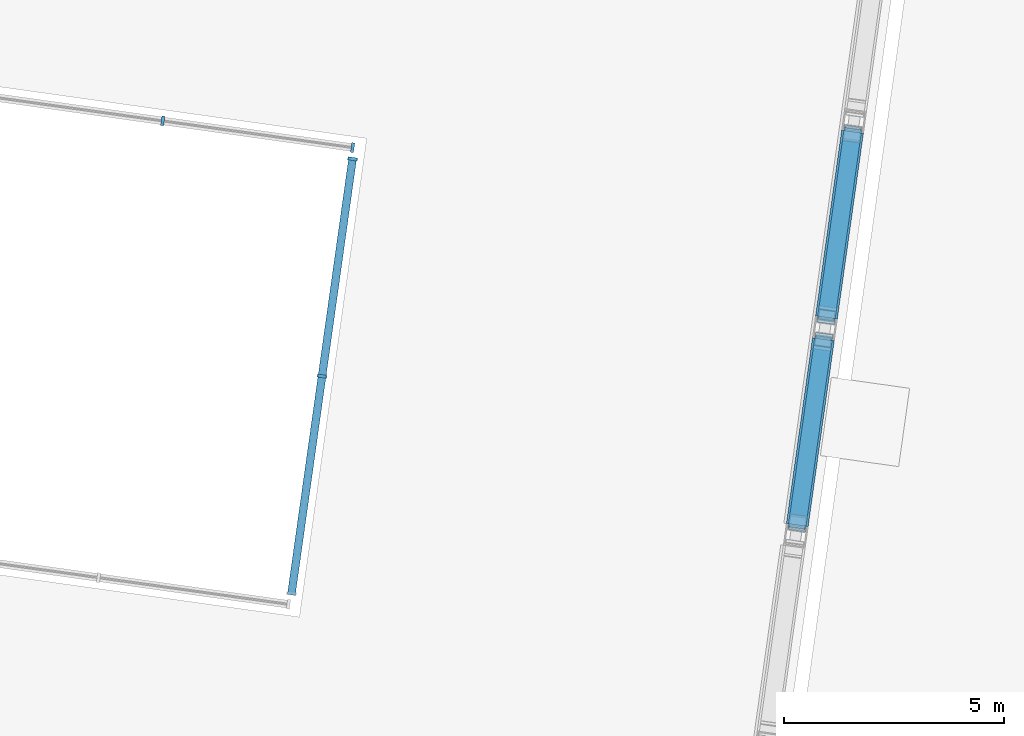
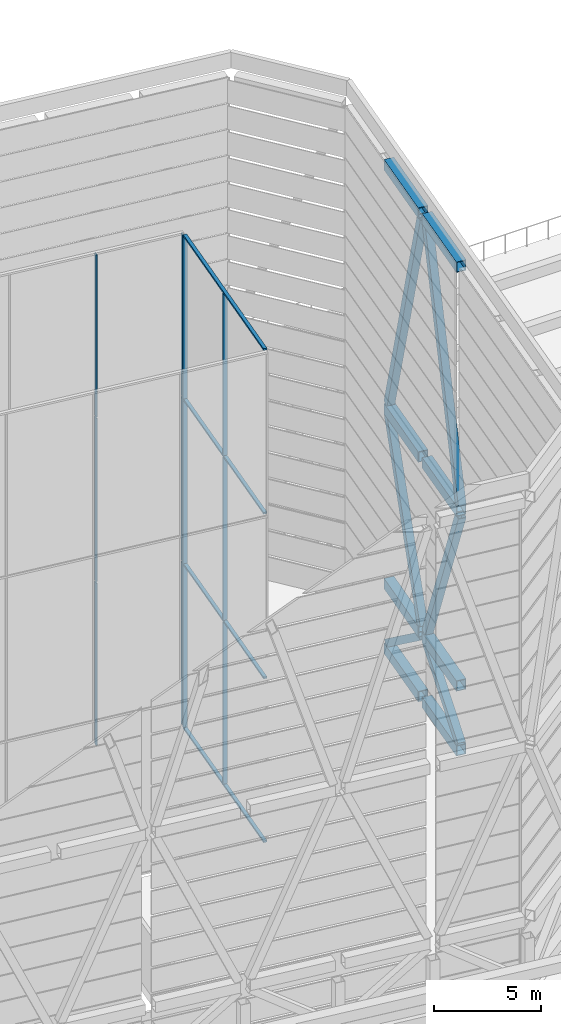
# One storey, part 8 of 45: 22 members, 8 beams, 2 elements without a shape of their own.
"""IFC4 building model written with IfcOpenShell, lengths in metres."""

from ifc_helpers import new_model, si_unit, direction, frame, origin, origin_2d, place, context, subcontext, project, spatial, rectangle, hollow_rectangle, extrude, material, material_profile, profile_set, type_object, element, aggregate, save


model = new_model("IFC4")

# Units and contexts
model_context = context("Model", 3, precision=1e-05, world=origin(), true_north=direction((0.0, 1.0)))
body_context = subcontext(model_context, "Body", "Model", "MODEL_VIEW")
ifc_project = project(units=[si_unit("LENGTHUNIT", "METRE"), si_unit("AREAUNIT", "SQUARE_METRE"), si_unit("VOLUMEUNIT", "CUBIC_METRE"), si_unit("PLANEANGLEUNIT", "RADIAN"), si_unit("MASSUNIT", "GRAM", prefix="KILO")], contexts=[model_context])

# Site, building, storey
site_placement = place(None, origin())
site = spatial("IfcSite", under=ifc_project, at=site_placement, CompositionType="ELEMENT")
building_placement = place(site_placement, origin())
building = spatial("IfcBuilding", under=site, at=building_placement, Name="Mirante Cascada Hotel Towers", CompositionType="ELEMENT")
storey_placement = place(building_placement, frame((0.0, 0.0, 269.8)))
storey = spatial("IfcBuildingStorey", under=building, at=storey_placement, Name="Roof garden", CompositionType="ELEMENT", Elevation=269.8)

# Beams
ifc_material_1 = material(Name="Steel ASTM A572 Gr 50", Category="steel")
ifc_material_profile_1 = material_profile(ifc_material_1, hollow_rectangle(XDim=0.5, YDim=0.6, WallThickness=0.03, at=origin_2d()), Name="Box beam 600x500x30 ASTM A572 Gr 50")
ifc_profile_set_1 = profile_set([ifc_material_profile_1], Name="Steel ASTM A572 Gr 50")
beam_type = type_object("IfcBeamType", Name="Box beam 600x500x30 ASTM A572 Gr 50", PredefinedType="BEAM", material=ifc_profile_set_1)
for number, where, z_axis, x_axis, name in (
    (1, (-14.6802, -3.9006, 0.3), (0.1391659, 0.9902691, 0.0), (-0.9902691, 0.1391659, 0.0), "CROWN FRAME ring beam T1 5"),
    (2, (-14.0162, 0.8242, 0.3), (0.1391888, 0.9902659, 0.0), (-0.9902659, 0.1391888, 0.0), "CROWN FRAME ring beam T1 6"),
    (3, (-14.6802, -3.9006, 4.0), (0.1391659, 0.9902691, 0.0), (-0.9902691, 0.1391659, 0.0), "CROWN FRAME ring beam T1 35"),
    (4, (-14.0162, 0.8242, 4.0), (0.1391888, 0.9902659, 0.0), (-0.9902659, 0.1391888, 0.0), "CROWN FRAME ring beam T1 36"),
    (5, (-14.6802, -3.9006, 14.0), (0.1391659, 0.9902691, 0.0), (-0.9902691, 0.1391659, 0.0), "CROWN FRAME ring beam T1 65"),
    (6, (-14.0162, 0.8242, 14.0), (0.1391888, 0.9902659, 0.0), (-0.9902659, 0.1391888, 0.0), "CROWN FRAME ring beam T1 66"),
    (7, (-14.6802, -3.9006, 27.95), (0.1391659, 0.9902691, 0.0), (-0.9902691, 0.1391659, 0.0), "CROWN FRAME ring beam T1 95"),
    (8, (-14.0162, 0.8242, 27.95), (0.1391888, 0.9902659, 0.0), (-0.9902659, 0.1391888, 0.0), "CROWN FRAME ring beam T1 96"),
):
    element("IfcBeam", number, at=place(storey_placement, frame(where, z_axis=z_axis, x_axis=x_axis)), inside=storey, type_object=beam_type, Name=name, PredefinedType="BEAM", context=body_context, shape_type="SweptSolid", body=[
        extrude(hollow_rectangle(XDim=0.5, YDim=0.6, WallThickness=0.03, at=origin_2d()), origin(), (0.0, 0.0, 1.0), 4.2712),
    ])

# Members
ifc_material_2 = material(Name="Steel ASTM A572 Gr 50", Category="steel")
ifc_material_profile_2 = material_profile(ifc_material_2, hollow_rectangle(XDim=0.4, YDim=0.4, WallThickness=0.025, at=origin_2d()), Name="Box brace 400x400x25 ASTM A572 Gr 50")
ifc_profile_set_2 = profile_set([ifc_material_profile_2], Name="Steel ASTM A572 Gr 50")
member_type_1 = type_object("IfcMemberType", Name="Box brace 400x400x25 ASTM A572 Gr 50", PredefinedType="BRACE", material=ifc_profile_set_2)
for number, where, z_axis, x_axis, name in (
    (9, (-14.6732, -3.8511, 0.6), (0.111699, 0.7948043, 0.5964977), (-0.9902687, 0.1391689, 0.0), "Hat truss diagonal T1 5"),
    (10, (-13.4287, 5.0043, 0.6), (-0.111699, -0.7948043, 0.5964977), (0.9902687, -0.1391689, 0.0), "Hat truss diagonal T1 6"),
):
    element("IfcMember", number, at=place(storey_placement, frame(where, z_axis=z_axis, x_axis=x_axis)), inside=storey, type_object=member_type_1, Name=name, PredefinedType="BRACE", context=body_context, shape_type="SweptSolid", body=[
        extrude(hollow_rectangle(XDim=0.4, YDim=0.4, WallThickness=0.025, at=origin_2d()), origin(), (0.0, 0.0, 1.0), 5.197),
    ])
for number, where, z_axis, x_axis, name in (
    (11, (-14.0927, 0.2795, 4.3), (-0.0564474, -0.4016565, 0.9140491), (0.9902687, -0.1391689, 0.0), "CROWN FRAME brace T1 35"),
    (12, (-14.0092, 0.8737, 4.3), (0.0564474, 0.4016565, 0.9140491), (-0.9902687, 0.1391689, 0.0), "CROWN FRAME brace T1 36"),
):
    element("IfcMember", number, at=place(storey_placement, frame(where, z_axis=z_axis, x_axis=x_axis)), inside=storey, type_object=member_type_1, Name=name, PredefinedType="BRACE", context=body_context, shape_type="SweptSolid", body=[
        extrude(hollow_rectangle(XDim=0.4, YDim=0.4, WallThickness=0.025, at=origin_2d()), origin(), (0.0, 0.0, 1.0), 10.2839),
    ])
for number, where, z_axis, x_axis, name in (
    (13, (-14.6732, -3.8511, 14.3), (0.0415044, 0.2953283, 0.9544939), (-0.9902687, 0.1391689, 0.0), "CROWN FRAME brace T1 65"),
    (14, (-13.4287, 5.0043, 14.3), (-0.0415044, -0.2953283, 0.9544939), (0.9902687, -0.1391689, 0.0), "CROWN FRAME brace T1 66"),
):
    element("IfcMember", number, at=place(storey_placement, frame(where, z_axis=z_axis, x_axis=x_axis)), inside=storey, type_object=member_type_1, Name=name, PredefinedType="BRACE", context=body_context, shape_type="SweptSolid", body=[
        extrude(hollow_rectangle(XDim=0.4, YDim=0.4, WallThickness=0.025, at=origin_2d()), origin(), (0.0, 0.0, 1.0), 13.9865),
    ])

# Curtain wall, members
ifc_material_3 = material(Name="Aluminium mullion and transom frame with clear laminated glass", Category="aluminium")
curtain_wall_type = type_object("IfcCurtainWallType", Name="Atrium rooflight wall ECW6", PredefinedType="NOTDEFINED", material=ifc_material_3)
curtain_wall_1_placement = place(storey_placement, origin())
curtain_wall_1 = element("IfcCurtainWall", 15, at=curtain_wall_1_placement, inside=storey, type_object=curtain_wall_type, Name="Atrium rooflight wall T1 long front", PredefinedType="NOTDEFINED")
ifc_material_4 = material(Name="Anodised aluminium extrusion", Category="aluminium")
ifc_material_profile_3 = material_profile(ifc_material_4, rectangle(XDim=0.22, YDim=0.07, at=origin_2d()), Name="ECW6 MULLION 70x220")
ifc_profile_set_3 = profile_set([ifc_material_profile_3], Name="Anodised aluminium extrusion")
member_type_2 = type_object("IfcMemberType", Name="ECW6 mullion 70x220", PredefinedType="MULLION", material=ifc_profile_set_3)
member_1_placement = place(storey_placement, frame((-29.1256, 5.2993, 0.1), z_axis=(0.0, 0.0, 1.0), x_axis=(0.1391731, 0.9902681, 0.0)))
member_1 = element("IfcMember", 16, at=member_1_placement, type_object=member_type_2, Name="ECW6 mullion 5", PredefinedType="MULLION", context=body_context, shape_type="SweptSolid", body=[
    extrude(rectangle(XDim=0.22, YDim=0.07, at=origin_2d()), origin(), (0.0, 0.0, 1.0), 9.2667),
])
member_2_placement = place(storey_placement, frame((-29.1256, 5.2993, 9.4667), z_axis=(0.0, 0.0, 1.0), x_axis=(0.1391731, 0.9902681, 0.0)))
member_2 = element("IfcMember", 17, at=member_2_placement, type_object=member_type_2, Name="ECW6 mullion 5", PredefinedType="MULLION", context=body_context, shape_type="SweptSolid", body=[
    extrude(rectangle(XDim=0.22, YDim=0.07, at=origin_2d()), origin(), (0.0, 0.0, 1.0), 9.3166),
])
member_3_placement = place(storey_placement, frame((-29.1256, 5.2993, 18.8833), z_axis=(0.0, 0.0, 1.0), x_axis=(0.1391731, 0.9902681, 0.0)))
member_3 = element("IfcMember", 18, at=member_3_placement, type_object=member_type_2, Name="ECW6 mullion 5", PredefinedType="MULLION", context=body_context, shape_type="SweptSolid", body=[
    extrude(rectangle(XDim=0.22, YDim=0.07, at=origin_2d()), origin(), (0.0, 0.0, 1.0), 9.2667),
])
member_4_placement = place(storey_placement, frame((-24.8031, 4.6919, 0.1), z_axis=(0.0, 0.0, 1.0), x_axis=(0.1391731, 0.9902681, 0.0)))
member_4 = element("IfcMember", 19, at=member_4_placement, type_object=member_type_2, Name="ECW6 mullion 6", PredefinedType="MULLION", context=body_context, shape_type="SweptSolid", body=[
    extrude(rectangle(XDim=0.22, YDim=0.07, at=origin_2d()), origin(), (0.0, 0.0, 1.0), 9.2667),
])
member_5_placement = place(storey_placement, frame((-24.8031, 4.6919, 9.4667), z_axis=(0.0, 0.0, 1.0), x_axis=(0.1391731, 0.9902681, 0.0)))
member_5 = element("IfcMember", 20, at=member_5_placement, type_object=member_type_2, Name="ECW6 mullion 6", PredefinedType="MULLION", context=body_context, shape_type="SweptSolid", body=[
    extrude(rectangle(XDim=0.22, YDim=0.07, at=origin_2d()), origin(), (0.0, 0.0, 1.0), 9.3166),
])
member_6_placement = place(storey_placement, frame((-24.8031, 4.6919, 18.8833), z_axis=(0.0, 0.0, 1.0), x_axis=(0.1391731, 0.9902681, 0.0)))
member_6 = element("IfcMember", 21, at=member_6_placement, type_object=member_type_2, Name="ECW6 mullion 6", PredefinedType="MULLION", context=body_context, shape_type="SweptSolid", body=[
    extrude(rectangle(XDim=0.22, YDim=0.07, at=origin_2d()), origin(), (0.0, 0.0, 1.0), 9.2667),
])
aggregate(curtain_wall_1, [member_1, member_2, member_3, member_4, member_5, member_6])

curtain_wall_2_placement = place(storey_placement, origin())
curtain_wall_2 = element("IfcCurtainWall", 22, at=curtain_wall_2_placement, inside=storey, type_object=curtain_wall_type, Name="Atrium rooflight wall T1 inner", PredefinedType="NOTDEFINED")
member_7_placement = place(storey_placement, frame((-24.8039, 4.4345, 0.1), z_axis=(0.0, 0.0, 1.0), x_axis=(0.9902681, -0.1391731, 0.0)))
member_7 = element("IfcMember", 23, at=member_7_placement, type_object=member_type_2, Name="ECW6 mullion 1", PredefinedType="MULLION", context=body_context, shape_type="SweptSolid", body=[
    extrude(rectangle(XDim=0.22, YDim=0.07, at=origin_2d()), origin(), (0.0, 0.0, 1.0), 9.2667),
])
member_8_placement = place(storey_placement, frame((-24.8039, 4.4345, 9.4667), z_axis=(0.0, 0.0, 1.0), x_axis=(0.9902681, -0.1391731, 0.0)))
member_8 = element("IfcMember", 24, at=member_8_placement, type_object=member_type_2, Name="ECW6 mullion 1", PredefinedType="MULLION", context=body_context, shape_type="SweptSolid", body=[
    extrude(rectangle(XDim=0.22, YDim=0.07, at=origin_2d()), origin(), (0.0, 0.0, 1.0), 9.3166),
])
member_9_placement = place(storey_placement, frame((-24.8039, 4.4345, 18.8833), z_axis=(0.0, 0.0, 1.0), x_axis=(0.9902681, -0.1391731, 0.0)))
member_9 = element("IfcMember", 25, at=member_9_placement, type_object=member_type_2, Name="ECW6 mullion 1", PredefinedType="MULLION", context=body_context, shape_type="SweptSolid", body=[
    extrude(rectangle(XDim=0.22, YDim=0.07, at=origin_2d()), origin(), (0.0, 0.0, 1.0), 9.2667),
])
member_10_placement = place(storey_placement, frame((-25.4991, -0.5119, 0.1), z_axis=(0.0, 0.0, 1.0), x_axis=(0.9902681, -0.1391731, 0.0)))
member_10 = element("IfcMember", 26, at=member_10_placement, type_object=member_type_2, Name="ECW6 mullion 2", PredefinedType="MULLION", context=body_context, shape_type="SweptSolid", body=[
    extrude(rectangle(XDim=0.22, YDim=0.07, at=origin_2d()), origin(), (0.0, 0.0, 1.0), 9.2667),
])
member_11_placement = place(storey_placement, frame((-25.4991, -0.5119, 9.4667), z_axis=(0.0, 0.0, 1.0), x_axis=(0.9902681, -0.1391731, 0.0)))
member_11 = element("IfcMember", 27, at=member_11_placement, type_object=member_type_2, Name="ECW6 mullion 2", PredefinedType="MULLION", context=body_context, shape_type="SweptSolid", body=[
    extrude(rectangle(XDim=0.22, YDim=0.07, at=origin_2d()), origin(), (0.0, 0.0, 1.0), 9.3166),
])
member_12_placement = place(storey_placement, frame((-25.4991, -0.5119, 18.8833), z_axis=(0.0, 0.0, 1.0), x_axis=(0.9902681, -0.1391731, 0.0)))
member_12 = element("IfcMember", 28, at=member_12_placement, type_object=member_type_2, Name="ECW6 mullion 2", PredefinedType="MULLION", context=body_context, shape_type="SweptSolid", body=[
    extrude(rectangle(XDim=0.22, YDim=0.07, at=origin_2d()), origin(), (0.0, 0.0, 1.0), 9.2667),
])
ifc_material_5 = material(Name="Anodised aluminium extrusion", Category="aluminium")
ifc_material_profile_4 = material_profile(ifc_material_5, rectangle(XDim=0.18, YDim=0.1, at=origin_2d()), Name="ECW6 TRANSOM 100x180")
ifc_profile_set_4 = profile_set([ifc_material_profile_4], Name="Anodised aluminium extrusion")
member_type_3 = type_object("IfcMemberType", Name="ECW6 transom 100x180", PredefinedType="USERDEFINED", material=ifc_profile_set_4)
member_13_placement = place(storey_placement, frame((-24.7991, 4.4691, 0.05), z_axis=(-0.1391651, -0.9902692, 0.0), x_axis=(0.9902692, -0.1391651, 0.0)))
member_13 = element("IfcMember", 29, at=member_13_placement, type_object=member_type_3, Name="ECW6 sill transom", ObjectType="TRANSOM", PredefinedType="USERDEFINED", context=body_context, shape_type="SweptSolid", body=[
    extrude(rectangle(XDim=0.18, YDim=0.1, at=origin_2d()), origin(), (0.0, 0.0, 1.0), 10.06),
])
member_14_placement = place(storey_placement, frame((-24.7991, 4.4691, 9.4167), z_axis=(-0.1391651, -0.9902692, 0.0), x_axis=(0.9902692, -0.1391651, 0.0)))
member_14 = element("IfcMember", 30, at=member_14_placement, type_object=member_type_3, Name="ECW6 intermediate transom", ObjectType="TRANSOM", PredefinedType="USERDEFINED", context=body_context, shape_type="SweptSolid", body=[
    extrude(rectangle(XDim=0.18, YDim=0.1, at=origin_2d()), origin(), (0.0, 0.0, 1.0), 10.06),
])
member_15_placement = place(storey_placement, frame((-24.7991, 4.4691, 18.8333), z_axis=(-0.1391651, -0.9902692, 0.0), x_axis=(0.9902692, -0.1391651, 0.0)))
member_15 = element("IfcMember", 31, at=member_15_placement, type_object=member_type_3, Name="ECW6 intermediate transom", ObjectType="TRANSOM", PredefinedType="USERDEFINED", context=body_context, shape_type="SweptSolid", body=[
    extrude(rectangle(XDim=0.18, YDim=0.1, at=origin_2d()), origin(), (0.0, 0.0, 1.0), 10.06),
])
member_16_placement = place(storey_placement, frame((-24.7991, 4.4691, 28.2), z_axis=(-0.1391651, -0.9902692, 0.0), x_axis=(0.9902692, -0.1391651, 0.0)))
member_16 = element("IfcMember", 32, at=member_16_placement, type_object=member_type_3, Name="ECW6 head transom", ObjectType="TRANSOM", PredefinedType="USERDEFINED", context=body_context, shape_type="SweptSolid", body=[
    extrude(rectangle(XDim=0.18, YDim=0.1, at=origin_2d()), origin(), (0.0, 0.0, 1.0), 10.06),
])
aggregate(curtain_wall_2, [member_13, member_14, member_15, member_16, member_7, member_8, member_9, member_10, member_11, member_12])

save(model, "model.ifc")
